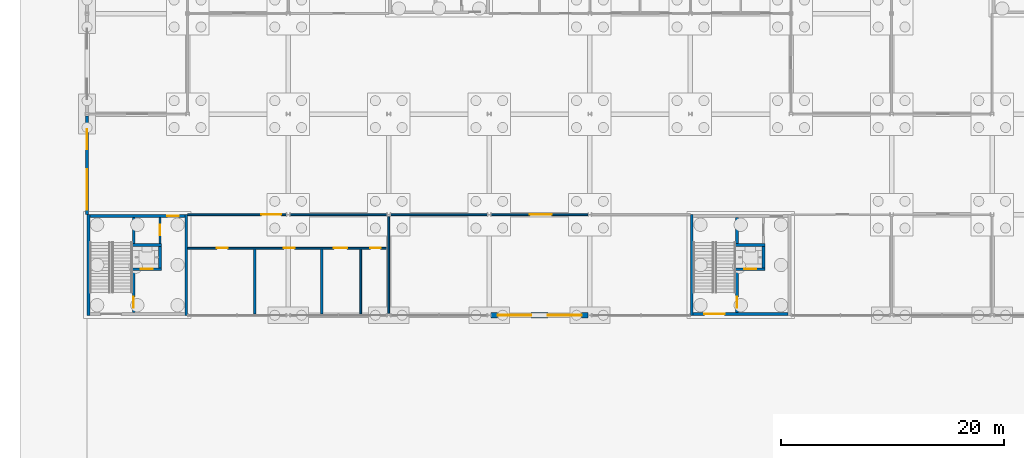
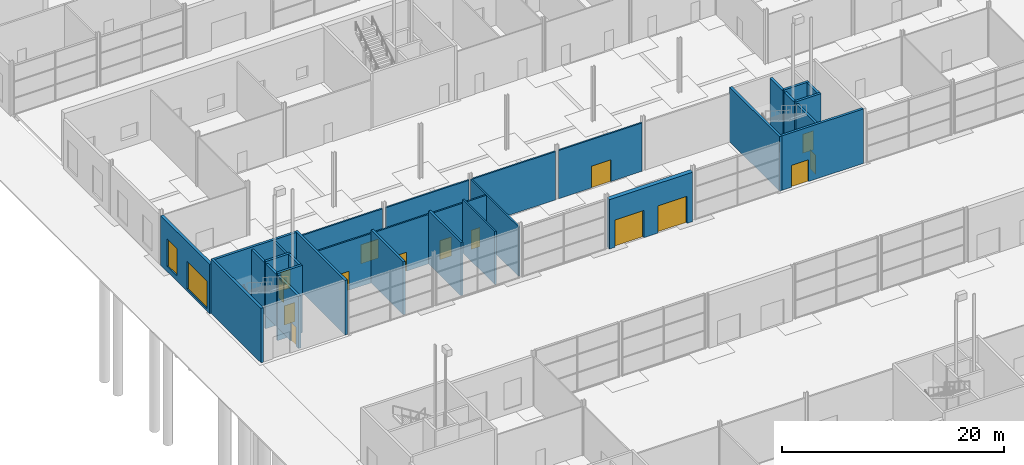
# One storey, part 62 of 97: 25 walls, 15 doors, 2 windows, 17 openings.
"""IFC4 building model written with IfcOpenShell, lengths in metres."""

from ifc_helpers import new_model, si_unit, direction, frame, frame_2d, origin, place, context, subcontext, project, spatial, rectangle, extrude, material, layer, layer_set, type_object, element, fill, save


model = new_model("IFC4")

# Units and contexts
model_context = context("Model", 3, precision=1e-05, world=origin(), true_north=direction((0.0, 1.0)))
body_context = subcontext(model_context, "Body", "Model", "MODEL_VIEW")
ifc_project = project(units=[si_unit("LENGTHUNIT", "METRE"), si_unit("AREAUNIT", "SQUARE_METRE"), si_unit("VOLUMEUNIT", "CUBIC_METRE"), si_unit("PLANEANGLEUNIT", "RADIAN"), si_unit("MASSUNIT", "GRAM", prefix="KILO")], contexts=[model_context])

# Site, building, storey
site_placement = place(None, origin())
site = spatial("IfcSite", under=ifc_project, at=site_placement, CompositionType="ELEMENT")
building_placement = place(site_placement, origin())
building = spatial("IfcBuilding", under=site, at=building_placement, Name="Corbel Yard City Hall", CompositionType="ELEMENT")
storey_placement = place(building_placement, origin())
storey = spatial("IfcBuildingStorey", under=building, at=storey_placement, Name="L00", CompositionType="ELEMENT", Elevation=0.0)

# Walls
ifc_material_1 = material(Name="Concrete N50 (50 MPa)", Category="concrete")
ifc_layer_1 = layer(ifc_material_1, 0.25)
ifc_layer_set_1 = layer_set([ifc_layer_1], Name="Concrete N50 (50 MPa)")
wall_type_1 = type_object("IfcWallType", Name="Core cell wall 250", PredefinedType="SHEAR", material=ifc_layer_set_1)
for number, where, z_axis, x_axis, name in (
    (1, (0.125, 45.0, 0.0), (0.0, 0.0, 1.0), (0.0, 1.0, 0.0), "Core PC-M1 west wall"),
    (2, (8.875, 45.0, 0.0), (0.0, 0.0, 1.0), (0.0, 1.0, 0.0), "Core PC-M1 east wall"),
):
    element("IfcWall", number, at=place(storey_placement, frame(where, z_axis=z_axis, x_axis=x_axis)), inside=storey, type_object=wall_type_1, Name=name, PredefinedType="SHEAR", context=body_context, shape_type="SweptSolid", body=[
        extrude(rectangle(XDim=9.0, YDim=0.25, at=frame_2d((4.5, 0.0))), origin(), (0.0, 0.0, 1.0), 6.0),
    ])

# Wall, opening, door
wall_1_placement = place(storey_placement, frame((0.25, 53.875, 0.0), z_axis=(0.0, 0.0, 1.0), x_axis=(1.0, 0.0, 0.0)))
wall_1 = element("IfcWall", 3, at=wall_1_placement, inside=storey, type_object=wall_type_1, Name="Core PC-M1 north wall", PredefinedType="SHEAR", context=body_context, shape_type="SweptSolid", body=[
    extrude(rectangle(XDim=8.5, YDim=0.25, at=frame_2d((4.25, 0.0))), origin(), (0.0, 0.0, 1.0), 6.0),
])
opening_1_placement = place(wall_1_placement, frame((6.949951171875, 0.0, 0.0)))
opening_1 = element("IfcOpeningElement", 4, at=opening_1_placement, cuts=wall_1, Name="Opening L00-116", PredefinedType="OPENING", context=body_context, shape_type="SweptSolid", body=[
    extrude(rectangle(XDim=1.0, YDim=2.10009765625, at=frame_2d((0.5, 1.050048828125))), frame((0.0, 0.135009765625, 0.0), z_axis=(0.0, -1.0, 0.0), x_axis=(1.0, 0.0, 0.0)), (0.0, 0.0, 1.0), 0.27001953125),
])
ifc_material_2 = material(Name="Steel Grade G250", Category="steel")
door_type_1 = type_object("IfcDoorType", Name="FS1", OperationType="SINGLE_SWING_LEFT", PredefinedType="DOOR", material=ifc_material_2)
door_1_placement = place(opening_1_placement, frame((1.0, 0.0, 0.0), z_axis=(0.0, 0.0, 1.0), x_axis=(-1.0, 0.0, 0.0)))
door_1 = element("IfcDoor", 5, at=door_1_placement, inside=storey, type_object=door_type_1, Name="Door Lift Lobby", OperationType="SINGLE_SWING_RIGHT", OverallHeight=2.10009765625, OverallWidth=1.0, PredefinedType="DOOR", context=body_context, shape_type="SweptSolid", body=[
    extrude(rectangle(XDim=1.0, YDim=2.10009765625, at=frame_2d((0.5, 1.050048828125))), frame((0.0, 0.02490234375, 0.0), z_axis=(0.0, -1.0, 0.0), x_axis=(1.0, 0.0, 0.0)), (0.0, 0.0, 1.0), 0.050048828125),
])
fill(opening_1, door_1)

# Wall
wall_2_placement = place(storey_placement, frame((54.125, 45.0, 0.0), z_axis=(0.0, 0.0, 1.0), x_axis=(0.0, 1.0, 0.0)))
element("IfcWall", 6, at=wall_2_placement, inside=storey, type_object=wall_type_1, Name="Core PC-M2 west wall", PredefinedType="SHEAR", context=body_context, shape_type="SweptSolid", body=[
    extrude(rectangle(XDim=9.0, YDim=0.25, at=frame_2d((4.5, 0.0))), origin(), (0.0, 0.0, 1.0), 6.0),
])

# Wall, opening, door
wall_3_placement = place(storey_placement, frame((54.25, 45.125, 0.0), z_axis=(0.0, 0.0, 1.0), x_axis=(1.0, 0.0, 0.0)))
wall_3 = element("IfcWall", 7, at=wall_3_placement, inside=storey, type_object=wall_type_1, Name="Core PC-M2 south wall", PredefinedType="SHEAR", context=body_context, shape_type="SweptSolid", body=[
    extrude(rectangle(XDim=8.5, YDim=0.25, at=frame_2d((4.25, 0.0))), origin(), (0.0, 0.0, 1.0), 6.0),
])
opening_2_placement = place(wall_3_placement, frame((1.0, 0.0, 0.0)))
opening_2 = element("IfcOpeningElement", 8, at=opening_2_placement, cuts=wall_3, Name="Opening L00-038", PredefinedType="OPENING", context=body_context, shape_type="SweptSolid", body=[
    extrude(rectangle(XDim=1.800048828125, YDim=2.39990234375, at=frame_2d((0.89990234375, 1.199951171875))), frame((0.0, 0.135009765625, 0.0), z_axis=(0.0, -1.0, 0.0), x_axis=(1.0, 0.0, 0.0)), (0.0, 0.0, 1.0), 0.27001953125),
])
ifc_material_3 = material(Name="Steel Grade G250, insulated infill", Category="steel")
door_type_2 = type_object("IfcDoorType", Name="XD2", OperationType="DOUBLE_DOOR_SINGLE_SWING", PredefinedType="DOOR", material=ifc_material_3)
door_2_placement = place(opening_2_placement, frame((1.800048828125, 0.0, 0.0), z_axis=(0.0, 0.0, 1.0), x_axis=(-1.0, 0.0, 0.0)))
door_2 = element("IfcDoor", 9, at=door_2_placement, inside=storey, type_object=door_type_2, Name="Stair exit door PC-M2", OperationType="DOUBLE_DOOR_SINGLE_SWING", OverallHeight=2.39990234375, OverallWidth=1.800048828125, PredefinedType="DOOR", context=body_context, shape_type="SweptSolid", body=[
    extrude(rectangle(XDim=1.800048828125, YDim=2.39990234375, at=frame_2d((0.89990234375, 1.199951171875))), frame((0.0, 0.02490234375, 0.0), z_axis=(0.0, -1.0, 0.0), x_axis=(1.0, 0.0, 0.0)), (0.0, 0.0, 1.0), 0.050048828125),
])
fill(opening_2, door_2)

# Wall, openings, windows
ifc_material_4 = material(Name="Sandstone cladding", Category="masonry")
ifc_layer_2 = layer(ifc_material_4, 0.0400390625)
ifc_material_5 = material(Name="Air cavity", Category="air")
ifc_layer_3 = layer(ifc_material_5, 0.0400390625)
ifc_material_6 = material(Name="Concrete block", Category="concrete")
ifc_layer_4 = layer(ifc_material_6, 0.18994140625)
ifc_material_7 = material(Name="Gypsum plasterboard", Category="gypsum")
ifc_layer_5 = layer(ifc_material_7, 0.030029296875)
ifc_layer_set_2 = layer_set([ifc_layer_2, ifc_layer_3, ifc_layer_4, ifc_layer_5], Name="Concrete block")
wall_type_2 = type_object("IfcWallType", Name="EW1", PredefinedType="SOLIDWALL", material=ifc_layer_set_2)
wall_4_placement = place(storey_placement, frame((0.0, 54.0, 0.0), z_axis=(0.0, 0.0, 1.0), x_axis=(0.0, 1.0, 0.0)))
wall_4 = element("IfcWall", 10, at=wall_4_placement, inside=storey, type_object=wall_type_2, Name="External wall", PredefinedType="SOLIDWALL", context=body_context, shape_type="SweptSolid", body=[
    extrude(rectangle(XDim=8.846435546875, YDim=0.300048828125, at=frame_2d((4.42333984375, 0.0))), origin(), (0.0, 0.0, 1.0), 5.444091796875),
])
opening_3_placement = place(wall_4_placement, frame((0.449951171875, 0.0, 0.300048828125)))
opening_3 = element("IfcOpeningElement", 11, at=opening_3_placement, cuts=wall_4, Name="Opening WN11", PredefinedType="OPENING", context=body_context, shape_type="SweptSolid", body=[
    extrude(rectangle(XDim=3.60009765625, YDim=3.0, at=frame_2d((1.800048828125, 1.5))), frame((0.0, 0.159912109375, 0.0), z_axis=(0.0, -1.0, 0.0), x_axis=(1.0, 0.0, 0.0)), (0.0, 0.0, 1.0), 0.320068359375),
])
opening_4_placement = place(wall_4_placement, frame((5.85009765625, 0.0, 0.60009765625)))
opening_4 = element("IfcOpeningElement", 12, at=opening_4_placement, cuts=wall_4, Name="Opening WN2", PredefinedType="OPENING", context=body_context, shape_type="SweptSolid", body=[
    extrude(rectangle(XDim=1.800048828125, YDim=3.0, at=frame_2d((0.89990234375, 1.5))), frame((0.0, 0.159912109375, 0.0), z_axis=(0.0, -1.0, 0.0), x_axis=(1.0, 0.0, 0.0)), (0.0, 0.0, 1.0), 0.320068359375),
])
ifc_material_8 = material(Name="Aluminium frame, double glazed low-e glass", Category="aluminium")
window_type_1 = type_object("IfcWindowType", Name="WN11", PartitioningType="SINGLE_PANEL", PredefinedType="WINDOW", material=ifc_material_8)
window_1_placement = place(opening_3_placement, origin())
window_1 = element("IfcWindow", 13, at=window_1_placement, inside=storey, type_object=window_type_1, Name="Window WN11 L00", OverallHeight=3.0, OverallWidth=3.60009765625, PartitioningType="SINGLE_PANEL", PredefinedType="WINDOW", context=body_context, shape_type="SweptSolid", body=[
    extrude(rectangle(XDim=3.60009765625, YDim=3.0, at=frame_2d((1.800048828125, 1.5))), frame((0.0, 0.030029296875, 0.0), z_axis=(0.0, -1.0, 0.0), x_axis=(1.0, 0.0, 0.0)), (0.0, 0.0, 1.0), 0.06005859375),
])
fill(opening_3, window_1)
window_type_2 = type_object("IfcWindowType", Name="WN2", PartitioningType="SINGLE_PANEL", PredefinedType="WINDOW", material=ifc_material_8)
window_2_placement = place(opening_4_placement, origin())
window_2 = element("IfcWindow", 14, at=window_2_placement, inside=storey, type_object=window_type_2, Name="Window WN2 L00", OverallHeight=3.0, OverallWidth=1.800048828125, PartitioningType="SINGLE_PANEL", PredefinedType="WINDOW", context=body_context, shape_type="SweptSolid", body=[
    extrude(rectangle(XDim=1.800048828125, YDim=3.0, at=frame_2d((0.89990234375, 1.5))), frame((0.0, 0.030029296875, 0.0), z_axis=(0.0, -1.0, 0.0), x_axis=(1.0, 0.0, 0.0)), (0.0, 0.0, 1.0), 0.06005859375),
])
fill(opening_4, window_2)

# Wall, openings, doors
ifc_layer_6 = layer(ifc_material_4, 0.06005859375)
ifc_layer_7 = layer(ifc_material_5, 0.0400390625)
ifc_material_9 = material(Name="Concrete N40 (40 MPa)", Category="concrete")
ifc_layer_8 = layer(ifc_material_9, 0.25)
ifc_material_10 = material(Name="Mineral wool", Category="insulation")
ifc_layer_9 = layer(ifc_material_10, 0.10009765625)
ifc_layer_set_3 = layer_set([ifc_layer_6, ifc_layer_7, ifc_layer_8, ifc_layer_9], Name="Concrete N40 (40 MPa)")
wall_type_3 = type_object("IfcWallType", Name="EW2", PredefinedType="SOLIDWALL", material=ifc_layer_set_3)
wall_5_placement = place(storey_placement, frame((36.157470703125, 45.0, 0.0), z_axis=(0.0, 0.0, 1.0), x_axis=(1.0, 0.0, 0.0)))
wall_5 = element("IfcWall", 15, at=wall_5_placement, inside=storey, type_object=wall_type_3, Name="Entrance pier wall", PredefinedType="SOLIDWALL", context=body_context, shape_type="SweptSolid", body=[
    extrude(rectangle(XDim=8.68505859375, YDim=0.449951171875, at=frame_2d((4.342529296875, 0.0))), origin(), (0.0, 0.0, 1.0), 5.444091796875),
])
opening_5_placement = place(wall_5_placement, frame((0.592529296875, 0.0, 0.0)))
opening_5 = element("IfcOpeningElement", 16, at=opening_5_placement, cuts=wall_5, Name="Opening L00-011", PredefinedType="OPENING", context=body_context, shape_type="SweptSolid", body=[
    extrude(rectangle(XDim=3.0, YDim=3.0, at=frame_2d((1.5, 1.5))), frame((0.0, 0.23486328125, 0.0), z_axis=(0.0, -1.0, 0.0), x_axis=(1.0, 0.0, 0.0)), (0.0, 0.0, 1.0), 0.469970703125),
])
opening_6_placement = place(wall_5_placement, frame((5.092529296875, 0.0, 0.0)))
opening_6 = element("IfcOpeningElement", 17, at=opening_6_placement, cuts=wall_5, Name="Opening L00-012", PredefinedType="OPENING", context=body_context, shape_type="SweptSolid", body=[
    extrude(rectangle(XDim=3.0, YDim=3.0, at=frame_2d((1.5, 1.5))), frame((0.0, 0.23486328125, 0.0), z_axis=(0.0, -1.0, 0.0), x_axis=(1.0, 0.0, 0.0)), (0.0, 0.0, 1.0), 0.469970703125),
])
ifc_material_11 = material(Name="Aluminium frame, toughened laminated glass", Category="aluminium")
door_type_3 = type_object("IfcDoorType", Name="XD7", OperationType="DOUBLE_DOOR_SINGLE_SWING", PredefinedType="DOOR", material=ifc_material_11)
door_3_placement = place(opening_5_placement, frame((3.0, 0.0, 0.0), z_axis=(0.0, 0.0, 1.0), x_axis=(-1.0, 0.0, 0.0)))
door_3 = element("IfcDoor", 18, at=door_3_placement, inside=storey, type_object=door_type_3, Name="Service Centre entrance door 1", OperationType="DOUBLE_DOOR_SINGLE_SWING", OverallHeight=3.0, OverallWidth=3.0, PredefinedType="DOOR", context=body_context, shape_type="SweptSolid", body=[
    extrude(rectangle(XDim=3.0, YDim=3.0, at=frame_2d((1.5, 1.5))), frame((0.0, 0.02490234375, 0.0), z_axis=(0.0, -1.0, 0.0), x_axis=(1.0, 0.0, 0.0)), (0.0, 0.0, 1.0), 0.050048828125),
])
fill(opening_5, door_3)
door_4_placement = place(opening_6_placement, frame((3.0, 0.0, 0.0), z_axis=(0.0, 0.0, 1.0), x_axis=(-1.0, 0.0, 0.0)))
door_4 = element("IfcDoor", 19, at=door_4_placement, inside=storey, type_object=door_type_3, Name="Service Centre entrance door 2", OperationType="DOUBLE_DOOR_SINGLE_SWING", OverallHeight=3.0, OverallWidth=3.0, PredefinedType="DOOR", context=body_context, shape_type="SweptSolid", body=[
    extrude(rectangle(XDim=3.0, YDim=3.0, at=frame_2d((1.5, 1.5))), frame((0.0, 0.02490234375, 0.0), z_axis=(0.0, -1.0, 0.0), x_axis=(1.0, 0.0, 0.0)), (0.0, 0.0, 1.0), 0.050048828125),
])
fill(opening_6, door_4)

# Wall, opening, door
ifc_layer_10 = layer(ifc_material_9, 0.25)
ifc_layer_set_4 = layer_set([ifc_layer_10], Name="Concrete N40 (40 MPa)")
wall_type_4 = type_object("IfcWallType", Name="IW2", PredefinedType="SOLIDWALL", material=ifc_layer_set_4)
wall_6_placement = place(storey_placement, frame((4.175048828125, 45.25, 0.0), z_axis=(0.0, 0.0, 1.0), x_axis=(0.0, 1.0, 0.0)))
wall_6 = element("IfcWall", 20, at=wall_6_placement, inside=storey, type_object=wall_type_4, Name="Stair enclosure wall", PredefinedType="SOLIDWALL", context=body_context, shape_type="SweptSolid", body=[
    extrude(rectangle(XDim=8.5, YDim=0.25, at=frame_2d((4.25, 0.0))), origin(), (0.0, 0.0, 1.0), 5.75),
])
opening_7_placement = place(wall_6_placement, frame((0.39990234375, 0.0, 0.0)))
opening_7 = element("IfcOpeningElement", 21, at=opening_7_placement, cuts=wall_6, Name="Opening L00-115", PredefinedType="OPENING", context=body_context, shape_type="SweptSolid", body=[
    extrude(rectangle(XDim=1.0, YDim=2.10009765625, at=frame_2d((0.5, 1.050048828125))), frame((0.0, 0.135009765625, 0.0), z_axis=(0.0, -1.0, 0.0), x_axis=(1.0, 0.0, 0.0)), (0.0, 0.0, 1.0), 0.27001953125),
])
door_5_placement = place(opening_7_placement, origin())
door_5 = element("IfcDoor", 22, at=door_5_placement, inside=storey, type_object=door_type_1, Name="Door Exit Stair 8", OperationType="SINGLE_SWING_LEFT", OverallHeight=2.10009765625, OverallWidth=1.0, PredefinedType="DOOR", context=body_context, shape_type="SweptSolid", body=[
    extrude(rectangle(XDim=1.0, YDim=2.10009765625, at=frame_2d((0.5, 1.050048828125))), frame((0.0, 0.02490234375, 0.0), z_axis=(0.0, -1.0, 0.0), x_axis=(1.0, 0.0, 0.0)), (0.0, 0.0, 1.0), 0.050048828125),
])
fill(opening_7, door_5)

wall_7_placement = place(storey_placement, frame((4.050048828125, 49.125, -1.39990234375), z_axis=(0.0, 0.0, 1.0), x_axis=(1.0, 0.0, 0.0)))
wall_7 = element("IfcWall", 23, at=wall_7_placement, inside=storey, type_object=wall_type_4, Name="Lift LP8 shaft wall", PredefinedType="SOLIDWALL", context=body_context, shape_type="SweptSolid", body=[
    extrude(rectangle(XDim=2.599853515625, YDim=0.25, at=frame_2d((1.2998046875, 0.0))), origin(), (0.0, 0.0, 1.0), 7.39990234375),
])
opening_8_placement = place(wall_7_placement, frame((0.75, 0.0, 1.39990234375)))
opening_8 = element("IfcOpeningElement", 24, at=opening_8_placement, cuts=wall_7, Name="Opening L00-107", PredefinedType="OPENING", context=body_context, shape_type="SweptSolid", body=[
    extrude(rectangle(XDim=1.10009765625, YDim=2.10009765625, at=frame_2d((0.550048828125, 1.050048828125))), frame((0.0, 0.135009765625, 0.0), z_axis=(0.0, -1.0, 0.0), x_axis=(1.0, 0.0, 0.0)), (0.0, 0.0, 1.0), 0.27001953125),
])
ifc_material_12 = material(Name="Stainless steel Grade 316", Category="steel")
door_type_4 = type_object("IfcDoorType", Name="LD1", OperationType="DOUBLE_DOOR_SLIDING", PredefinedType="DOOR", material=ifc_material_12)
door_6_placement = place(opening_8_placement, origin())
door_6 = element("IfcDoor", 25, at=door_6_placement, inside=storey, type_object=door_type_4, Name="Lift LP8 landing door", OperationType="DOUBLE_DOOR_SLIDING", OverallHeight=2.10009765625, OverallWidth=1.10009765625, PredefinedType="DOOR", context=body_context, shape_type="SweptSolid", body=[
    extrude(rectangle(XDim=1.10009765625, YDim=2.10009765625, at=frame_2d((0.550048828125, 1.050048828125))), frame((0.0, 0.02490234375, 0.0), z_axis=(0.0, -1.0, 0.0), x_axis=(1.0, 0.0, 0.0)), (0.0, 0.0, 1.0), 0.050048828125),
])
fill(opening_8, door_6)

# Walls
wall_8_placement = place(storey_placement, frame((4.050048828125, 51.27490234375, -1.39990234375), z_axis=(0.0, 0.0, 1.0), x_axis=(1.0, 0.0, 0.0)))
element("IfcWall", 26, at=wall_8_placement, inside=storey, type_object=wall_type_4, Name="Lift LP8 shaft wall", PredefinedType="SOLIDWALL", context=body_context, shape_type="SweptSolid", body=[
    extrude(rectangle(XDim=2.599853515625, YDim=0.25, at=frame_2d((1.2998046875, 0.0))), origin(), (0.0, 0.0, 1.0), 7.39990234375),
])
wall_9_placement = place(storey_placement, frame((6.52490234375, 49.25, -1.39990234375), z_axis=(0.0, 0.0, 1.0), x_axis=(0.0, 1.0, 0.0)))
element("IfcWall", 27, at=wall_9_placement, inside=storey, type_object=wall_type_4, Name="Lift LP8 shaft wall", PredefinedType="SOLIDWALL", context=body_context, shape_type="SweptSolid", body=[
    extrude(rectangle(XDim=1.89990234375, YDim=0.25, at=frame_2d((0.949951171875, 0.0))), origin(), (0.0, 0.0, 1.0), 7.39990234375),
])

# Wall, opening, door
wall_10_placement = place(storey_placement, frame((58.175048828125, 45.25, 0.0), z_axis=(0.0, 0.0, 1.0), x_axis=(0.0, 1.0, 0.0)))
wall_10 = element("IfcWall", 28, at=wall_10_placement, inside=storey, type_object=wall_type_4, Name="Stair enclosure wall", PredefinedType="SOLIDWALL", context=body_context, shape_type="SweptSolid", body=[
    extrude(rectangle(XDim=8.5, YDim=0.25, at=frame_2d((4.25, 0.0))), origin(), (0.0, 0.0, 1.0), 5.75),
])
opening_9_placement = place(wall_10_placement, frame((0.39990234375, 0.0, 0.0)))
opening_9 = element("IfcOpeningElement", 29, at=opening_9_placement, cuts=wall_10, Name="Opening L00-118", PredefinedType="OPENING", context=body_context, shape_type="SweptSolid", body=[
    extrude(rectangle(XDim=1.0, YDim=2.10009765625, at=frame_2d((0.5, 1.050048828125))), frame((0.0, 0.135009765625, 0.0), z_axis=(0.0, -1.0, 0.0), x_axis=(1.0, 0.0, 0.0)), (0.0, 0.0, 1.0), 0.27001953125),
])
door_7_placement = place(opening_9_placement, origin())
door_7 = element("IfcDoor", 30, at=door_7_placement, inside=storey, type_object=door_type_1, Name="Door Exit Stair 9", OperationType="SINGLE_SWING_LEFT", OverallHeight=2.10009765625, OverallWidth=1.0, PredefinedType="DOOR", context=body_context, shape_type="SweptSolid", body=[
    extrude(rectangle(XDim=1.0, YDim=2.10009765625, at=frame_2d((0.5, 1.050048828125))), frame((0.0, 0.02490234375, 0.0), z_axis=(0.0, -1.0, 0.0), x_axis=(1.0, 0.0, 0.0)), (0.0, 0.0, 1.0), 0.050048828125),
])
fill(opening_9, door_7)

wall_11_placement = place(storey_placement, frame((58.050048828125, 49.125, -1.39990234375), z_axis=(0.0, 0.0, 1.0), x_axis=(1.0, 0.0, 0.0)))
wall_11 = element("IfcWall", 31, at=wall_11_placement, inside=storey, type_object=wall_type_4, Name="Lift LP9 shaft wall", PredefinedType="SOLIDWALL", context=body_context, shape_type="SweptSolid", body=[
    extrude(rectangle(XDim=2.599853515625, YDim=0.25, at=frame_2d((1.2998046875, 0.0))), origin(), (0.0, 0.0, 1.0), 7.39990234375),
])
opening_10_placement = place(wall_11_placement, frame((0.75, 0.0, 1.39990234375)))
opening_10 = element("IfcOpeningElement", 32, at=opening_10_placement, cuts=wall_11, Name="Opening L00-108", PredefinedType="OPENING", context=body_context, shape_type="SweptSolid", body=[
    extrude(rectangle(XDim=1.10009765625, YDim=2.10009765625, at=frame_2d((0.550048828125, 1.050048828125))), frame((0.0, 0.135009765625, 0.0), z_axis=(0.0, -1.0, 0.0), x_axis=(1.0, 0.0, 0.0)), (0.0, 0.0, 1.0), 0.27001953125),
])
door_8_placement = place(opening_10_placement, origin())
door_8 = element("IfcDoor", 33, at=door_8_placement, inside=storey, type_object=door_type_4, Name="Lift LP9 landing door", OperationType="DOUBLE_DOOR_SLIDING", OverallHeight=2.10009765625, OverallWidth=1.10009765625, PredefinedType="DOOR", context=body_context, shape_type="SweptSolid", body=[
    extrude(rectangle(XDim=1.10009765625, YDim=2.10009765625, at=frame_2d((0.550048828125, 1.050048828125))), frame((0.0, 0.02490234375, 0.0), z_axis=(0.0, -1.0, 0.0), x_axis=(1.0, 0.0, 0.0)), (0.0, 0.0, 1.0), 0.050048828125),
])
fill(opening_10, door_8)

# Walls
wall_12_placement = place(storey_placement, frame((58.050048828125, 51.27490234375, -1.39990234375), z_axis=(0.0, 0.0, 1.0), x_axis=(1.0, 0.0, 0.0)))
element("IfcWall", 34, at=wall_12_placement, inside=storey, type_object=wall_type_4, Name="Lift LP9 shaft wall", PredefinedType="SOLIDWALL", context=body_context, shape_type="SweptSolid", body=[
    extrude(rectangle(XDim=2.599853515625, YDim=0.25, at=frame_2d((1.2998046875, 0.0))), origin(), (0.0, 0.0, 1.0), 7.39990234375),
])
wall_13_placement = place(storey_placement, frame((60.52490234375, 49.25, -1.39990234375), z_axis=(0.0, 0.0, 1.0), x_axis=(0.0, 1.0, 0.0)))
element("IfcWall", 35, at=wall_13_placement, inside=storey, type_object=wall_type_4, Name="Lift LP9 shaft wall", PredefinedType="SOLIDWALL", context=body_context, shape_type="SweptSolid", body=[
    extrude(rectangle(XDim=1.89990234375, YDim=0.25, at=frame_2d((0.949951171875, 0.0))), origin(), (0.0, 0.0, 1.0), 7.39990234375),
])

# Wall, openings, doors
ifc_layer_11 = layer(ifc_material_7, 0.031982421875)
ifc_material_13 = material(Name="Steel Grade G550 (550 MPa yield)", Category="steel")
ifc_layer_12 = layer(ifc_material_13, 0.095947265625)
ifc_layer_13 = layer(ifc_material_7, 0.031982421875)
ifc_layer_set_5 = layer_set([ifc_layer_11, ifc_layer_12, ifc_layer_13], Name="Steel Grade G550 (550 MPa yield)")
wall_type_5 = type_object("IfcWallType", Name="PT3", PredefinedType="PARTITIONING", material=ifc_layer_set_5)
wall_14_placement = place(storey_placement, frame((9.0, 51.0, 0.0), z_axis=(0.0, 0.0, 1.0), x_axis=(1.0, 0.0, 0.0)))
wall_14 = element("IfcWall", 36, at=wall_14_placement, inside=storey, type_object=wall_type_5, Name="Fire-resisting wall", PredefinedType="PARTITIONING", context=body_context, shape_type="SweptSolid", body=[
    extrude(rectangle(XDim=17.919921875, YDim=0.159912109375, at=frame_2d((8.9599609375, 0.0))), origin(), (0.0, 0.0, 1.0), 5.447021484375),
])
opening_11_placement = place(wall_14_placement, frame((2.60009765625, 0.0, 0.0)))
opening_11 = element("IfcOpeningElement", 37, at=opening_11_placement, cuts=wall_14, Name="Opening L00-139", PredefinedType="OPENING", context=body_context, shape_type="SweptSolid", body=[
    extrude(rectangle(XDim=1.0, YDim=2.10009765625, at=frame_2d((0.5, 1.050048828125))), frame((0.0, 0.08984375, 0.0), z_axis=(0.0, -1.0, 0.0), x_axis=(1.0, 0.0, 0.0)), (0.0, 0.0, 1.0), 0.179931640625),
])
opening_12_placement = place(wall_14_placement, frame((8.60009765625, 0.0, 0.0)))
opening_12 = element("IfcOpeningElement", 38, at=opening_12_placement, cuts=wall_14, Name="Opening L00-140", PredefinedType="OPENING", context=body_context, shape_type="SweptSolid", body=[
    extrude(rectangle(XDim=1.0, YDim=2.10009765625, at=frame_2d((0.5, 1.050048828125))), frame((0.0, 0.08984375, 0.0), z_axis=(0.0, -1.0, 0.0), x_axis=(1.0, 0.0, 0.0)), (0.0, 0.0, 1.0), 0.179931640625),
])
opening_13_placement = place(wall_14_placement, frame((13.10009765625, 0.0, 0.0)))
opening_13 = element("IfcOpeningElement", 39, at=opening_13_placement, cuts=wall_14, Name="Opening L00-141", PredefinedType="OPENING", context=body_context, shape_type="SweptSolid", body=[
    extrude(rectangle(XDim=1.199951171875, YDim=2.10009765625, at=frame_2d((0.60009765625, 1.050048828125))), frame((0.0, 0.08984375, 0.0), z_axis=(0.0, -1.0, 0.0), x_axis=(1.0, 0.0, 0.0)), (0.0, 0.0, 1.0), 0.179931640625),
])
opening_14_placement = place(wall_14_placement, frame((16.35009765625, 0.0, 0.0)))
opening_14 = element("IfcOpeningElement", 40, at=opening_14_placement, cuts=wall_14, Name="Opening L00-142", PredefinedType="OPENING", context=body_context, shape_type="SweptSolid", body=[
    extrude(rectangle(XDim=0.919921875, YDim=2.10009765625, at=frame_2d((0.4599609375, 1.050048828125))), frame((0.0, 0.08984375, 0.0), z_axis=(0.0, -1.0, 0.0), x_axis=(1.0, 0.0, 0.0)), (0.0, 0.0, 1.0), 0.179931640625),
])
door_type_5 = type_object("IfcDoorType", Name="FD1", OperationType="SINGLE_SWING_LEFT", PredefinedType="DOOR", material=ifc_material_2)
door_9_placement = place(opening_11_placement, frame((1.0, 0.0, 0.0), z_axis=(0.0, 0.0, 1.0), x_axis=(-1.0, 0.0, 0.0)))
door_9 = element("IfcDoor", 41, at=door_9_placement, inside=storey, type_object=door_type_5, Name="Door Women's WC", OperationType="SINGLE_SWING_LEFT", OverallHeight=2.10009765625, OverallWidth=1.0, PredefinedType="DOOR", context=body_context, shape_type="SweptSolid", body=[
    extrude(rectangle(XDim=1.0, YDim=2.10009765625, at=frame_2d((0.5, 1.050048828125))), frame((0.0, 0.02490234375, 0.0), z_axis=(0.0, -1.0, 0.0), x_axis=(1.0, 0.0, 0.0)), (0.0, 0.0, 1.0), 0.050048828125),
])
fill(opening_11, door_9)
door_10_placement = place(opening_12_placement, frame((1.0, 0.0, 0.0), z_axis=(0.0, 0.0, 1.0), x_axis=(-1.0, 0.0, 0.0)))
door_10 = element("IfcDoor", 42, at=door_10_placement, inside=storey, type_object=door_type_5, Name="Door Men's WC", OperationType="SINGLE_SWING_LEFT", OverallHeight=2.10009765625, OverallWidth=1.0, PredefinedType="DOOR", context=body_context, shape_type="SweptSolid", body=[
    extrude(rectangle(XDim=1.0, YDim=2.10009765625, at=frame_2d((0.5, 1.050048828125))), frame((0.0, 0.02490234375, 0.0), z_axis=(0.0, -1.0, 0.0), x_axis=(1.0, 0.0, 0.0)), (0.0, 0.0, 1.0), 0.050048828125),
])
fill(opening_12, door_10)
door_type_6 = type_object("IfcDoorType", Name="FD5", OperationType="SINGLE_SWING_RIGHT", PredefinedType="DOOR", material=ifc_material_2)
door_11_placement = place(opening_14_placement, frame((0.919921875, 0.0, 0.0), z_axis=(0.0, 0.0, 1.0), x_axis=(-1.0, 0.0, 0.0)))
door_11 = element("IfcDoor", 43, at=door_11_placement, inside=storey, type_object=door_type_6, Name="Door Cleaners' Store", OperationType="SINGLE_SWING_LEFT", OverallHeight=2.10009765625, OverallWidth=0.919921875, PredefinedType="DOOR", context=body_context, shape_type="SweptSolid", body=[
    extrude(rectangle(XDim=0.919921875, YDim=2.10009765625, at=frame_2d((0.4599609375, 1.050048828125))), frame((0.0, 0.02490234375, 0.0), z_axis=(0.0, -1.0, 0.0), x_axis=(1.0, 0.0, 0.0)), (0.0, 0.0, 1.0), 0.050048828125),
])
fill(opening_14, door_11)
door_type_7 = type_object("IfcDoorType", Name="FD7", OperationType="SINGLE_SWING_LEFT", PredefinedType="DOOR", material=ifc_material_2)
door_12_placement = place(opening_13_placement, frame((1.199951171875, 0.0, 0.0), z_axis=(0.0, 0.0, 1.0), x_axis=(-1.0, 0.0, 0.0)))
door_12 = element("IfcDoor", 44, at=door_12_placement, inside=storey, type_object=door_type_7, Name="Door Accessible WC", OperationType="SINGLE_SWING_RIGHT", OverallHeight=2.10009765625, OverallWidth=1.199951171875, PredefinedType="DOOR", context=body_context, shape_type="SweptSolid", body=[
    extrude(rectangle(XDim=1.199951171875, YDim=2.10009765625, at=frame_2d((0.60009765625, 1.050048828125))), frame((0.0, 0.02490234375, 0.0), z_axis=(0.0, -1.0, 0.0), x_axis=(1.0, 0.0, 0.0)), (0.0, 0.0, 1.0), 0.050048828125),
])
fill(opening_13, door_12)

# Wall, opening, door
wall_15_placement = place(storey_placement, frame((9.0, 54.0, 0.0), z_axis=(0.0, 0.0, 1.0), x_axis=(1.0, 0.0, 0.0)))
wall_15 = element("IfcWall", 45, at=wall_15_placement, inside=storey, type_object=wall_type_5, Name="Fire-resisting wall", PredefinedType="PARTITIONING", context=body_context, shape_type="SweptSolid", body=[
    extrude(rectangle(XDim=8.83642578125, YDim=0.159912109375, at=frame_2d((4.418212890625, 0.0))), origin(), (0.0, 0.0, 1.0), 5.322021484375),
])
opening_15_placement = place(wall_15_placement, frame((6.60009765625, 0.0, 0.0)))
opening_15 = element("IfcOpeningElement", 46, at=opening_15_placement, cuts=wall_15, Name="Opening L00-138", PredefinedType="OPENING", context=body_context, shape_type="SweptSolid", body=[
    extrude(rectangle(XDim=1.800048828125, YDim=2.10009765625, at=frame_2d((0.89990234375, 1.050048828125))), frame((0.0, 0.08984375, 0.0), z_axis=(0.0, -1.0, 0.0), x_axis=(1.0, 0.0, 0.0)), (0.0, 0.0, 1.0), 0.179931640625),
])
door_type_8 = type_object("IfcDoorType", Name="FD3", OperationType="DOUBLE_DOOR_SINGLE_SWING", PredefinedType="DOOR", material=ifc_material_2)
door_13_placement = place(opening_15_placement, origin())
door_13 = element("IfcDoor", 47, at=door_13_placement, inside=storey, type_object=door_type_8, Name="Door WC Lobby", OperationType="DOUBLE_DOOR_SINGLE_SWING", OverallHeight=2.10009765625, OverallWidth=1.800048828125, PredefinedType="DOOR", context=body_context, shape_type="SweptSolid", body=[
    extrude(rectangle(XDim=1.800048828125, YDim=2.10009765625, at=frame_2d((0.89990234375, 1.050048828125))), frame((0.0, 0.02490234375, 0.0), z_axis=(0.0, -1.0, 0.0), x_axis=(1.0, 0.0, 0.0)), (0.0, 0.0, 1.0), 0.050048828125),
])
fill(opening_15, door_13)

# Walls
for number, where, z_axis, x_axis, name in (
    (48, (18.16357421875, 54.0, 0.0), (0.0, 0.0, 1.0), (1.0, 0.0, 0.0), "Fire-resisting wall"),
    (49, (27.16357421875, 54.0, 0.0), (0.0, 0.0, 1.0), (1.0, 0.0, 0.0), "Fire-resisting wall"),
):
    element("IfcWall", number, at=place(storey_placement, frame(where, z_axis=z_axis, x_axis=x_axis)), inside=storey, type_object=wall_type_5, Name=name, PredefinedType="PARTITIONING", context=body_context, shape_type="SweptSolid", body=[
        extrude(rectangle(XDim=8.6728515625, YDim=0.159912109375, at=frame_2d((4.33642578125, 0.0))), origin(), (0.0, 0.0, 1.0), 5.322021484375),
    ])

# Wall, opening, door
wall_16_placement = place(storey_placement, frame((36.16357421875, 54.0, 0.0), z_axis=(0.0, 0.0, 1.0), x_axis=(1.0, 0.0, 0.0)))
wall_16 = element("IfcWall", 50, at=wall_16_placement, inside=storey, type_object=wall_type_5, Name="Fire-resisting wall", PredefinedType="PARTITIONING", context=body_context, shape_type="SweptSolid", body=[
    extrude(rectangle(XDim=8.6728515625, YDim=0.159912109375, at=frame_2d((4.33642578125, 0.0))), origin(), (0.0, 0.0, 1.0), 5.322021484375),
])
opening_16_placement = place(wall_16_placement, frame((3.4365234375, 0.0, 0.0)))
opening_16 = element("IfcOpeningElement", 51, at=opening_16_placement, cuts=wall_16, Name="Opening L00-124", PredefinedType="OPENING", context=body_context, shape_type="SweptSolid", body=[
    extrude(rectangle(XDim=2.0, YDim=2.39990234375, at=frame_2d((1.0, 1.199951171875))), frame((0.0, 0.08984375, 0.0), z_axis=(0.0, -1.0, 0.0), x_axis=(1.0, 0.0, 0.0)), (0.0, 0.0, 1.0), 0.179931640625),
])
door_type_9 = type_object("IfcDoorType", Name="FD6", OperationType="DOUBLE_DOOR_SINGLE_SWING", PredefinedType="DOOR", material=ifc_material_2)
door_14_placement = place(opening_16_placement, origin())
door_14 = element("IfcDoor", 52, at=door_14_placement, inside=storey, type_object=door_type_9, Name="Door Service Entrance Lobby", OperationType="DOUBLE_DOOR_SINGLE_SWING", OverallHeight=2.39990234375, OverallWidth=2.0, PredefinedType="DOOR", context=body_context, shape_type="SweptSolid", body=[
    extrude(rectangle(XDim=2.0, YDim=2.39990234375, at=frame_2d((1.0, 1.199951171875))), frame((0.0, 0.02490234375, 0.0), z_axis=(0.0, -1.0, 0.0), x_axis=(1.0, 0.0, 0.0)), (0.0, 0.0, 1.0), 0.050048828125),
])
fill(opening_16, door_14)

# Walls
wall_17_placement = place(storey_placement, frame((24.5, 45.125, 0.0), z_axis=(0.0, 0.0, 1.0), x_axis=(0.0, 1.0, 0.0)))
element("IfcWall", 53, at=wall_17_placement, inside=storey, type_object=wall_type_5, Name="Fire-resisting wall", PredefinedType="PARTITIONING", context=body_context, shape_type="SweptSolid", body=[
    extrude(rectangle(XDim=5.794921875, YDim=0.159912109375, at=frame_2d((2.8974609375, 0.0))), origin(), (0.0, 0.0, 1.0), 5.85009765625),
])
wall_18_placement = place(storey_placement, frame((27.0, 45.157470703125, 0.0), z_axis=(0.0, 0.0, 1.0), x_axis=(0.0, 1.0, 0.0)))
element("IfcWall", 54, at=wall_18_placement, inside=storey, type_object=wall_type_5, Name="Fire-resisting wall", PredefinedType="PARTITIONING", context=body_context, shape_type="SweptSolid", body=[
    extrude(rectangle(XDim=8.678955078125, YDim=0.159912109375, at=frame_2d((4.33935546875, 0.0))), origin(), (0.0, 0.0, 1.0), 5.447021484375),
])

# Wall, opening, door
ifc_material_14 = material(Name="Concrete block", Category="concrete")
ifc_layer_14 = layer(ifc_material_14, 0.18994140625)
ifc_layer_set_6 = layer_set([ifc_layer_14], Name="Concrete block")
wall_type_6 = type_object("IfcWallType", Name="PT4", PredefinedType="PARTITIONING", material=ifc_layer_set_6)
wall_19_placement = place(storey_placement, frame((6.52490234375, 51.39990234375, 0.0), z_axis=(0.0, 0.0, 1.0), x_axis=(0.0, 1.0, 0.0)))
wall_19 = element("IfcWall", 55, at=wall_19_placement, inside=storey, type_object=wall_type_6, Name="Fire-resisting block wall", PredefinedType="PARTITIONING", context=body_context, shape_type="SweptSolid", body=[
    extrude(rectangle(XDim=2.35009765625, YDim=0.18994140625, at=frame_2d((1.175048828125, 0.0))), origin(), (0.0, 0.0, 1.0), 5.75),
])
opening_17_placement = place(wall_19_placement, frame((0.777587890625, 0.0, 0.0)))
opening_17 = element("IfcOpeningElement", 56, at=opening_17_placement, cuts=wall_19, Name="Opening L00-117", PredefinedType="OPENING", context=body_context, shape_type="SweptSolid", body=[
    extrude(rectangle(XDim=0.919921875, YDim=2.10009765625, at=frame_2d((0.4599609375, 1.050048828125))), frame((0.0, 0.10498046875, 0.0), z_axis=(0.0, -1.0, 0.0), x_axis=(1.0, 0.0, 0.0)), (0.0, 0.0, 1.0), 0.2099609375),
])
door_type_10 = type_object("IfcDoorType", Name="FS5", OperationType="SINGLE_SWING_RIGHT", PredefinedType="DOOR", material=ifc_material_2)
door_15_placement = place(opening_17_placement, origin())
door_15 = element("IfcDoor", 57, at=door_15_placement, inside=storey, type_object=door_type_10, Name="Door Service Riser", OperationType="SINGLE_SWING_RIGHT", OverallHeight=2.10009765625, OverallWidth=0.919921875, PredefinedType="DOOR", context=body_context, shape_type="SweptSolid", body=[
    extrude(rectangle(XDim=0.919921875, YDim=2.10009765625, at=frame_2d((0.4599609375, 1.050048828125))), frame((0.0, 0.02490234375, 0.0), z_axis=(0.0, -1.0, 0.0), x_axis=(1.0, 0.0, 0.0)), (0.0, 0.0, 1.0), 0.050048828125),
])
fill(opening_17, door_15)

# Walls
ifc_layer_15 = layer(ifc_material_7, 0.031982421875)
ifc_layer_16 = layer(ifc_material_13, 0.156005859375)
ifc_layer_17 = layer(ifc_material_7, 0.031982421875)
ifc_layer_set_7 = layer_set([ifc_layer_15, ifc_layer_16, ifc_layer_17], Name="Steel Grade G550 (550 MPa yield)")
wall_type_7 = type_object("IfcWallType", Name="PT5", PredefinedType="PLUMBINGWALL", material=ifc_layer_set_7)
for number, where, z_axis, x_axis, name in (
    (58, (15.0, 45.125, 0.0), (0.0, 0.0, 1.0), (0.0, 1.0, 0.0), "Wet wall"),
    (59, (21.0, 45.125, 0.0), (0.0, 0.0, 1.0), (0.0, 1.0, 0.0), "Wet wall"),
):
    element("IfcWall", number, at=place(storey_placement, frame(where, z_axis=z_axis, x_axis=x_axis)), inside=storey, type_object=wall_type_7, Name=name, PredefinedType="PLUMBINGWALL", context=body_context, shape_type="SweptSolid", body=[
        extrude(rectangle(XDim=5.794921875, YDim=0.219970703125, at=frame_2d((2.8974609375, 0.0))), origin(), (0.0, 0.0, 1.0), 5.85009765625),
    ])

save(model, "model.ifc")
